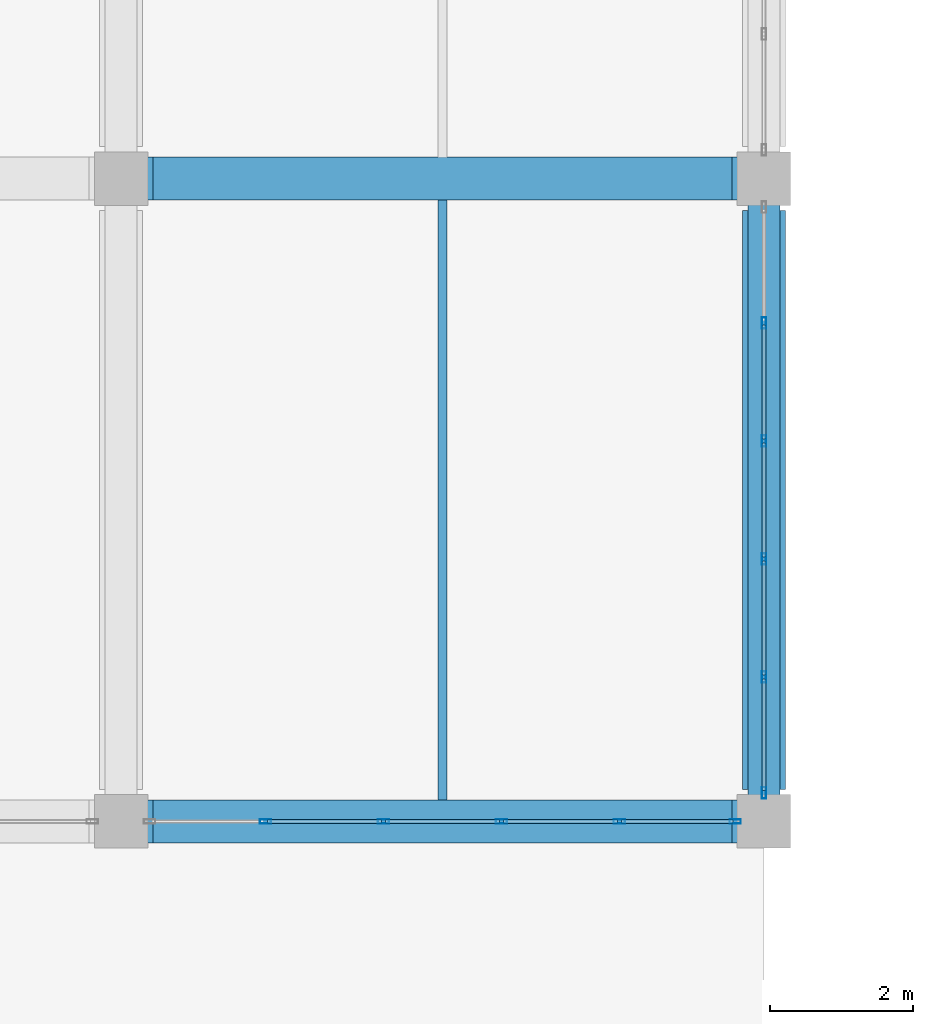
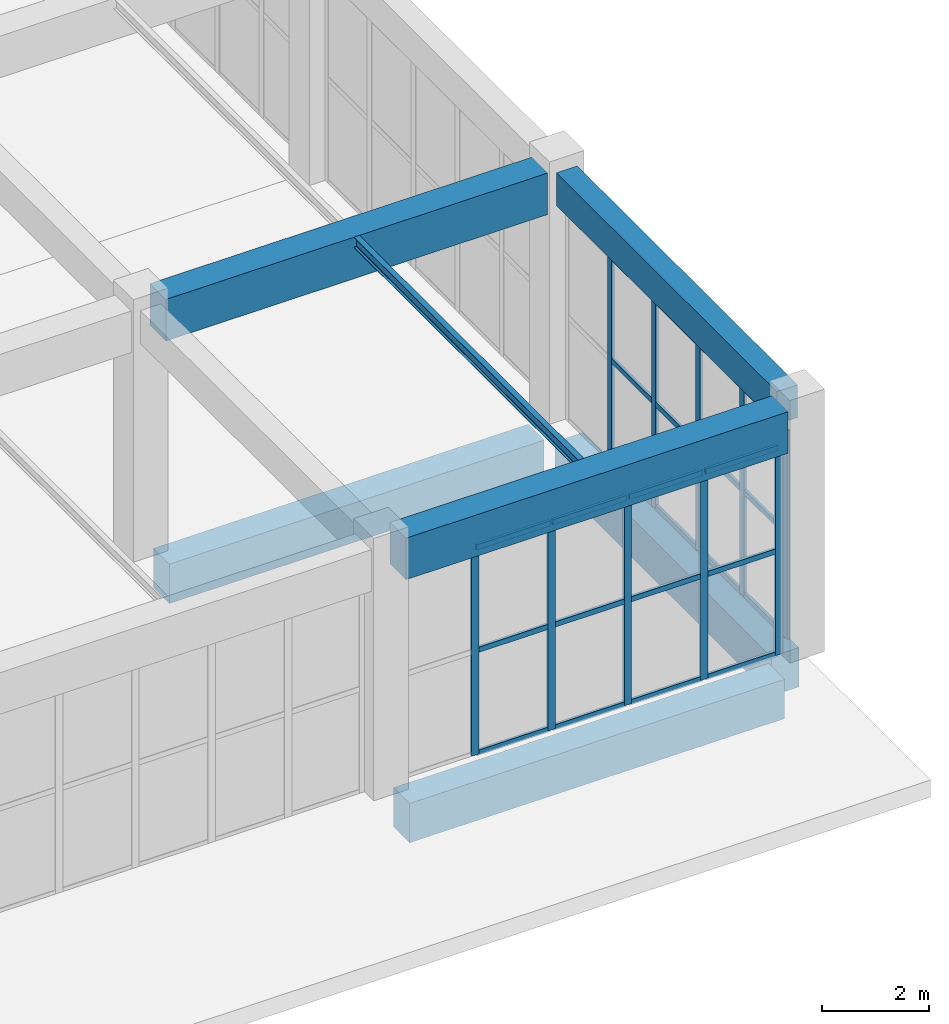
# One storey, part 38 of 91: 34 members, 7 beams, 2 elements without a shape of their own.
"""IFC4 building model written with IfcOpenShell, lengths in metres."""

from ifc_helpers import new_model, si_unit, direction, frame, origin, origin_2d, place, context, subcontext, project, spatial, rectangle, hollow_rectangle, i_section, extrude, material, layer, layer_set, material_profile, profile_set, type_object, element, aggregate, save


model = new_model("IFC4")

# Units and contexts
model_context = context("Model", 3, precision=1e-05, world=origin(), true_north=direction((0.0, 1.0)))
body_context = subcontext(model_context, "Body", "Model", "MODEL_VIEW")
ifc_project = project(units=[si_unit("LENGTHUNIT", "METRE"), si_unit("AREAUNIT", "SQUARE_METRE"), si_unit("VOLUMEUNIT", "CUBIC_METRE"), si_unit("PLANEANGLEUNIT", "RADIAN"), si_unit("MASSUNIT", "GRAM", prefix="KILO")], contexts=[model_context])

# Site, building, storey
site_placement = place(None, origin())
site = spatial("IfcSite", under=ifc_project, at=site_placement, CompositionType="ELEMENT")
building_placement = place(site_placement, origin())
building = spatial("IfcBuilding", under=site, at=building_placement, Name="Dornveld Trade and Exhibition Forum", CompositionType="ELEMENT")
storey_placement = place(building_placement, origin())
storey = spatial("IfcBuildingStorey", under=building, at=storey_placement, Name="L00", CompositionType="ELEMENT", Elevation=0.0)

# Beams
ifc_material_1 = material(Name="Concrete C40/50", Category="concrete")
ifc_material_profile_1 = material_profile(ifc_material_1, rectangle(XDim=0.60009765625, YDim=0.89990234375, at=origin_2d()), Name="RC-GB 600x900")
ifc_profile_set_1 = profile_set([ifc_material_profile_1], Name="Concrete C40/50")
beam_type_1 = type_object("IfcBeamType", Name="BM-GB-600x900", PredefinedType="BEAM", material=ifc_profile_set_1)
for number, where, z_axis, x_axis, name in (
    (1, (207.446044921875, 108.0, -0.842041015625), (1.0, 0.0, 0.0), (0.0, 1.0, 0.0), "L00 X-girder 527"),
    (2, (207.446044921875, 117.0, -0.830078125), (1.0, 0.0, 0.0), (0.0, 1.0, 0.0), "L00 X-girder 531"),
    (3, (216.0, 108.446044921875, -0.830078125), (0.0, 1.0, 0.0), (-1.0, 0.0, 0.0), "L00 Y-girder 563"),
):
    element("IfcBeam", number, at=place(storey_placement, frame(where, z_axis=z_axis, x_axis=x_axis)), inside=storey, type_object=beam_type_1, Name=name, PredefinedType="BEAM", context=body_context, shape_type="SweptSolid", body=[
        extrude(rectangle(XDim=0.60009765625, YDim=0.89990234375, at=origin_2d()), origin(), (0.0, 0.0, 1.0), 8.10791015625),
    ])
ifc_material_2 = material(Name="Steel S355J2", Category="steel")
ifc_material_profile_2 = material_profile(ifc_material_2, i_section(OverallWidth=0.1201171875, OverallDepth=0.239990234375, WebThickness=0.006103515625, FlangeThickness=0.009765625, FilletRadius=0.014892578125, at=origin_2d()), Name="IPE 240")
ifc_profile_set_2 = profile_set([ifc_material_profile_2], Name="Steel S355J2")
beam_type_2 = type_object("IfcBeamType", Name="BM-JOIST-240", PredefinedType="JOIST", material=ifc_profile_set_2)
beam_1_placement = place(storey_placement, frame((211.5, 108.297119140625, 5.580078125), z_axis=(0.0, 1.0, 0.0), x_axis=(-1.0, 0.0, 0.0)))
element("IfcBeam", 4, at=beam_1_placement, inside=storey, type_object=beam_type_2, Name="L00 secondary joist 1017", PredefinedType="JOIST", context=body_context, shape_type="SweptSolid", body=[
    extrude(i_section(OverallWidth=0.1201171875, OverallDepth=0.239990234375, WebThickness=0.006103515625, FlangeThickness=0.009765625, FilletRadius=0.014892578125, at=origin_2d()), origin(), (0.0, 0.0, 1.0), 8.40576171875),
])
ifc_material_3 = material(Name="Precast concrete C50/60", Category="concrete")
ifc_material_profile_3 = material_profile(ifc_material_3, rectangle(XDim=0.449951171875, YDim=0.75, at=origin_2d()), Name="PC-BM 450x750")
ifc_profile_set_3 = profile_set([ifc_material_profile_3], Name="Precast concrete C50/60")
beam_type_3 = type_object("IfcBeamType", Name="BM-PC-450x750", PredefinedType="BEAM", material=ifc_profile_set_3)
beam_2_placement = place(storey_placement, frame((216.0, 108.37109375, 5.324951171875), z_axis=(0.0, 1.0, 0.0), x_axis=(-1.0, 0.0, 0.0)))
element("IfcBeam", 5, at=beam_2_placement, inside=storey, type_object=beam_type_3, Name="L00 Y-girder 999", PredefinedType="BEAM", context=body_context, shape_type="SweptSolid", body=[
    extrude(rectangle(XDim=0.449951171875, YDim=0.75, at=origin_2d()), origin(), (0.0, 0.0, 1.0), 8.2578125),
])
ifc_material_4 = material(Name="Precast concrete C50/60", Category="concrete")
ifc_material_profile_4 = material_profile(ifc_material_4, rectangle(XDim=0.60009765625, YDim=0.949951171875, at=origin_2d()), Name="PC-GIR 600x950")
ifc_profile_set_4 = profile_set([ifc_material_profile_4], Name="Precast concrete C50/60")
beam_type_4 = type_object("IfcBeamType", Name="BM-PC-600x950", PredefinedType="T_BEAM", material=ifc_profile_set_4)
for number, where, z_axis, x_axis, name in (
    (6, (207.37109375, 108.0, 5.22509765625), (1.0, 0.0, 0.0), (0.0, 1.0, 0.0), "L00 X-girder 959"),
    (7, (207.37109375, 117.0, 5.22509765625), (1.0, 0.0, 0.0), (0.0, 1.0, 0.0), "L00 X-girder 963"),
):
    element("IfcBeam", number, at=place(storey_placement, frame(where, z_axis=z_axis, x_axis=x_axis)), inside=storey, type_object=beam_type_4, Name=name, PredefinedType="T_BEAM", context=body_context, shape_type="SweptSolid", body=[
        extrude(rectangle(XDim=0.60009765625, YDim=0.949951171875, at=origin_2d()), origin(), (0.0, 0.0, 1.0), 8.2578125),
    ])

# Curtain wall, members
ifc_material_5 = material(Name="Dark-bronze anodised aluminium and low-E glass", Category="aluminium")
ifc_layer_1 = layer(ifc_material_5, 0.1689453125)
ifc_layer_set_1 = layer_set([ifc_layer_1], Name="Dark-bronze anodised aluminium and low-E glass")
curtain_wall_type_1 = type_object("IfcCurtainWallType", Name="CW-SYS-09", PredefinedType="USERDEFINED", material=ifc_layer_set_1)
curtain_wall_1_placement = place(storey_placement, origin())
curtain_wall_1 = element("IfcCurtainWall", 8, at=curtain_wall_1_placement, inside=storey, type_object=curtain_wall_type_1, Name="L00 unitised curtain wall 99", ObjectType="UNITISED_CURTAIN_WALL", PredefinedType="USERDEFINED")
ifc_material_6 = material(Name="Dark-bronze anodised aluminium", Category="aluminium")
ifc_material_profile_5 = material_profile(ifc_material_6, hollow_rectangle(XDim=0.06005859375, YDim=0.159912109375, WallThickness=0.00390625, at=origin_2d()), Name="RHS 160x60x4")
ifc_profile_set_5 = profile_set([ifc_material_profile_5], Name="Dark-bronze anodised aluminium")
member_type_1 = type_object("IfcMemberType", Name="CW-MUL-160", PredefinedType="MULLION", material=ifc_profile_set_5)
member_1_placement = place(storey_placement, frame((209.022705078125, 108.0, -0.00390625), z_axis=(0.0, 0.0, 1.0), x_axis=(0.0, 1.0, 0.0)))
member_1 = element("IfcMember", 9, at=member_1_placement, type_object=member_type_1, Name="CW-09 mullion 2", PredefinedType="MULLION", context=body_context, shape_type="SweptSolid", body=[
    extrude(hollow_rectangle(XDim=0.06005859375, YDim=0.159912109375, WallThickness=0.00390625, at=origin_2d()), origin(), (0.0, 0.0, 1.0), 4.763916015625),
])
member_2_placement = place(storey_placement, frame((210.67431640625, 108.0, -0.00390625), z_axis=(0.0, 0.0, 1.0), x_axis=(0.0, 1.0, 0.0)))
member_2 = element("IfcMember", 10, at=member_2_placement, type_object=member_type_1, Name="CW-09 mullion 3", PredefinedType="MULLION", context=body_context, shape_type="SweptSolid", body=[
    extrude(hollow_rectangle(XDim=0.06005859375, YDim=0.159912109375, WallThickness=0.00390625, at=origin_2d()), origin(), (0.0, 0.0, 1.0), 4.763916015625),
])
member_3_placement = place(storey_placement, frame((212.32568359375, 108.0, -0.00390625), z_axis=(0.0, 0.0, 1.0), x_axis=(0.0, 1.0, 0.0)))
member_3 = element("IfcMember", 11, at=member_3_placement, type_object=member_type_1, Name="CW-09 mullion 4", PredefinedType="MULLION", context=body_context, shape_type="SweptSolid", body=[
    extrude(hollow_rectangle(XDim=0.06005859375, YDim=0.159912109375, WallThickness=0.00390625, at=origin_2d()), origin(), (0.0, 0.0, 1.0), 4.763916015625),
])
member_4_placement = place(storey_placement, frame((213.977294921875, 108.0, -0.00390625), z_axis=(0.0, 0.0, 1.0), x_axis=(0.0, 1.0, 0.0)))
member_4 = element("IfcMember", 12, at=member_4_placement, type_object=member_type_1, Name="CW-09 mullion 5", PredefinedType="MULLION", context=body_context, shape_type="SweptSolid", body=[
    extrude(hollow_rectangle(XDim=0.06005859375, YDim=0.159912109375, WallThickness=0.00390625, at=origin_2d()), origin(), (0.0, 0.0, 1.0), 4.763916015625),
])
member_5_placement = place(storey_placement, frame((215.59912109375, 108.0, -0.00390625), z_axis=(0.0, 0.0, 1.0), x_axis=(0.0, 1.0, 0.0)))
member_5 = element("IfcMember", 13, at=member_5_placement, type_object=member_type_1, Name="CW-09 mullion 6", PredefinedType="MULLION", context=body_context, shape_type="SweptSolid", body=[
    extrude(hollow_rectangle(XDim=0.06005859375, YDim=0.159912109375, WallThickness=0.00390625, at=origin_2d()), origin(), (0.0, 0.0, 1.0), 4.763916015625),
])

ifc_material_7 = material(Name="Dark-bronze anodised aluminium and low-E glass", Category="aluminium")
ifc_layer_2 = layer(ifc_material_7, 0.172119140625)
ifc_layer_set_2 = layer_set([ifc_layer_2], Name="Dark-bronze anodised aluminium and low-E glass")
curtain_wall_type_2 = type_object("IfcCurtainWallType", Name="CW-SYS-10", PredefinedType="USERDEFINED", material=ifc_layer_set_2)
curtain_wall_2_placement = place(storey_placement, origin())
curtain_wall_2 = element("IfcCurtainWall", 14, at=curtain_wall_2_placement, inside=storey, type_object=curtain_wall_type_2, Name="L00 unitised curtain wall 100", ObjectType="UNITISED_CURTAIN_WALL", PredefinedType="USERDEFINED")
member_6_placement = place(storey_placement, frame((216.0, 108.40087890625, -0.00390625), z_axis=(0.0, 0.0, 1.0), x_axis=(-1.0, 0.0, 0.0)))
member_6 = element("IfcMember", 15, at=member_6_placement, type_object=member_type_1, Name="CW-10 mullion 1", PredefinedType="MULLION", context=body_context, shape_type="SweptSolid", body=[
    extrude(hollow_rectangle(XDim=0.06005859375, YDim=0.159912109375, WallThickness=0.00390625, at=origin_2d()), origin(), (0.0, 0.0, 1.0), 4.763916015625),
])
member_7_placement = place(storey_placement, frame((216.0, 110.022705078125, -0.00390625), z_axis=(0.0, 0.0, 1.0), x_axis=(-1.0, 0.0, 0.0)))
member_7 = element("IfcMember", 16, at=member_7_placement, type_object=member_type_1, Name="CW-10 mullion 2", PredefinedType="MULLION", context=body_context, shape_type="SweptSolid", body=[
    extrude(hollow_rectangle(XDim=0.06005859375, YDim=0.159912109375, WallThickness=0.00390625, at=origin_2d()), origin(), (0.0, 0.0, 1.0), 4.763916015625),
])
member_8_placement = place(storey_placement, frame((216.0, 111.67431640625, -0.00390625), z_axis=(0.0, 0.0, 1.0), x_axis=(-1.0, 0.0, 0.0)))
member_8 = element("IfcMember", 17, at=member_8_placement, type_object=member_type_1, Name="CW-10 mullion 3", PredefinedType="MULLION", context=body_context, shape_type="SweptSolid", body=[
    extrude(hollow_rectangle(XDim=0.06005859375, YDim=0.159912109375, WallThickness=0.00390625, at=origin_2d()), origin(), (0.0, 0.0, 1.0), 4.763916015625),
])
member_9_placement = place(storey_placement, frame((216.0, 113.32568359375, -0.00390625), z_axis=(0.0, 0.0, 1.0), x_axis=(-1.0, 0.0, 0.0)))
member_9 = element("IfcMember", 18, at=member_9_placement, type_object=member_type_1, Name="CW-10 mullion 4", PredefinedType="MULLION", context=body_context, shape_type="SweptSolid", body=[
    extrude(hollow_rectangle(XDim=0.06005859375, YDim=0.159912109375, WallThickness=0.00390625, at=origin_2d()), origin(), (0.0, 0.0, 1.0), 4.763916015625),
])
member_10_placement = place(storey_placement, frame((216.0, 114.977294921875, -0.00390625), z_axis=(0.0, 0.0, 1.0), x_axis=(-1.0, 0.0, 0.0)))
member_10 = element("IfcMember", 19, at=member_10_placement, type_object=member_type_1, Name="CW-10 mullion 5", PredefinedType="MULLION", context=body_context, shape_type="SweptSolid", body=[
    extrude(hollow_rectangle(XDim=0.06005859375, YDim=0.159912109375, WallThickness=0.00390625, at=origin_2d()), origin(), (0.0, 0.0, 1.0), 4.763916015625),
])

# Member
ifc_material_8 = material(Name="Dark-bronze anodised aluminium", Category="aluminium")
ifc_material_profile_6 = material_profile(ifc_material_8, hollow_rectangle(XDim=0.06005859375, YDim=0.1201171875, WallThickness=0.00390625, at=origin_2d()), Name="RHS 120x60x4")
ifc_profile_set_6 = profile_set([ifc_material_profile_6], Name="Dark-bronze anodised aluminium")
member_type_2 = type_object("IfcMemberType", Name="CW-TRN-120", PredefinedType="USERDEFINED", material=ifc_profile_set_6)
member_11_placement = place(storey_placement, frame((209.052490234375, 108.0, 0.02587890625), z_axis=(1.0, 0.0, 0.0), x_axis=(0.0, 1.0, 0.0)))
member_11 = element("IfcMember", 20, at=member_11_placement, type_object=member_type_2, Name="CW-09 transom 2.1", ObjectType="TRANSOM", PredefinedType="USERDEFINED", context=body_context, shape_type="SweptSolid", body=[
    extrude(hollow_rectangle(XDim=0.06005859375, YDim=0.1201171875, WallThickness=0.00390625, at=origin_2d()), origin(), (0.0, 0.0, 1.0), 1.591796875),
])

member_12_placement = place(storey_placement, frame((209.052490234375, 108.0, 2.3779296875), z_axis=(1.0, 0.0, 0.0), x_axis=(0.0, 1.0, 0.0)))
member_12 = element("IfcMember", 21, at=member_12_placement, type_object=member_type_2, Name="CW-09 transom 2.2", ObjectType="TRANSOM", PredefinedType="USERDEFINED", context=body_context, shape_type="SweptSolid", body=[
    extrude(hollow_rectangle(XDim=0.06005859375, YDim=0.1201171875, WallThickness=0.00390625, at=origin_2d()), origin(), (0.0, 0.0, 1.0), 1.591796875),
])

member_13_placement = place(storey_placement, frame((209.052490234375, 108.0, 4.72998046875), z_axis=(1.0, 0.0, 0.0), x_axis=(0.0, 1.0, 0.0)))
member_13 = element("IfcMember", 22, at=member_13_placement, type_object=member_type_2, Name="CW-09 transom 2.3", ObjectType="TRANSOM", PredefinedType="USERDEFINED", context=body_context, shape_type="SweptSolid", body=[
    extrude(hollow_rectangle(XDim=0.06005859375, YDim=0.1201171875, WallThickness=0.00390625, at=origin_2d()), origin(), (0.0, 0.0, 1.0), 1.591796875),
])

member_14_placement = place(storey_placement, frame((210.7041015625, 108.0, 0.02587890625), z_axis=(1.0, 0.0, 0.0), x_axis=(0.0, 1.0, 0.0)))
member_14 = element("IfcMember", 23, at=member_14_placement, type_object=member_type_2, Name="CW-09 transom 3.1", ObjectType="TRANSOM", PredefinedType="USERDEFINED", context=body_context, shape_type="SweptSolid", body=[
    extrude(hollow_rectangle(XDim=0.06005859375, YDim=0.1201171875, WallThickness=0.00390625, at=origin_2d()), origin(), (0.0, 0.0, 1.0), 1.591796875),
])

member_15_placement = place(storey_placement, frame((210.7041015625, 108.0, 2.3779296875), z_axis=(1.0, 0.0, 0.0), x_axis=(0.0, 1.0, 0.0)))
member_15 = element("IfcMember", 24, at=member_15_placement, type_object=member_type_2, Name="CW-09 transom 3.2", ObjectType="TRANSOM", PredefinedType="USERDEFINED", context=body_context, shape_type="SweptSolid", body=[
    extrude(hollow_rectangle(XDim=0.06005859375, YDim=0.1201171875, WallThickness=0.00390625, at=origin_2d()), origin(), (0.0, 0.0, 1.0), 1.591796875),
])

member_16_placement = place(storey_placement, frame((210.7041015625, 108.0, 4.72998046875), z_axis=(1.0, 0.0, 0.0), x_axis=(0.0, 1.0, 0.0)))
member_16 = element("IfcMember", 25, at=member_16_placement, type_object=member_type_2, Name="CW-09 transom 3.3", ObjectType="TRANSOM", PredefinedType="USERDEFINED", context=body_context, shape_type="SweptSolid", body=[
    extrude(hollow_rectangle(XDim=0.06005859375, YDim=0.1201171875, WallThickness=0.00390625, at=origin_2d()), origin(), (0.0, 0.0, 1.0), 1.591796875),
])

member_17_placement = place(storey_placement, frame((212.355712890625, 108.0, 0.02587890625), z_axis=(1.0, 0.0, 0.0), x_axis=(0.0, 1.0, 0.0)))
member_17 = element("IfcMember", 26, at=member_17_placement, type_object=member_type_2, Name="CW-09 transom 4.1", ObjectType="TRANSOM", PredefinedType="USERDEFINED", context=body_context, shape_type="SweptSolid", body=[
    extrude(hollow_rectangle(XDim=0.06005859375, YDim=0.1201171875, WallThickness=0.00390625, at=origin_2d()), origin(), (0.0, 0.0, 1.0), 1.591796875),
])

member_18_placement = place(storey_placement, frame((212.355712890625, 108.0, 2.3779296875), z_axis=(1.0, 0.0, 0.0), x_axis=(0.0, 1.0, 0.0)))
member_18 = element("IfcMember", 27, at=member_18_placement, type_object=member_type_2, Name="CW-09 transom 4.2", ObjectType="TRANSOM", PredefinedType="USERDEFINED", context=body_context, shape_type="SweptSolid", body=[
    extrude(hollow_rectangle(XDim=0.06005859375, YDim=0.1201171875, WallThickness=0.00390625, at=origin_2d()), origin(), (0.0, 0.0, 1.0), 1.591796875),
])

member_19_placement = place(storey_placement, frame((212.355712890625, 108.0, 4.72998046875), z_axis=(1.0, 0.0, 0.0), x_axis=(0.0, 1.0, 0.0)))
member_19 = element("IfcMember", 28, at=member_19_placement, type_object=member_type_2, Name="CW-09 transom 4.3", ObjectType="TRANSOM", PredefinedType="USERDEFINED", context=body_context, shape_type="SweptSolid", body=[
    extrude(hollow_rectangle(XDim=0.06005859375, YDim=0.1201171875, WallThickness=0.00390625, at=origin_2d()), origin(), (0.0, 0.0, 1.0), 1.591796875),
])

member_20_placement = place(storey_placement, frame((214.00732421875, 108.0, 0.02587890625), z_axis=(1.0, 0.0, 0.0), x_axis=(0.0, 1.0, 0.0)))
member_20 = element("IfcMember", 29, at=member_20_placement, type_object=member_type_2, Name="CW-09 transom 5.1", ObjectType="TRANSOM", PredefinedType="USERDEFINED", context=body_context, shape_type="SweptSolid", body=[
    extrude(hollow_rectangle(XDim=0.06005859375, YDim=0.1201171875, WallThickness=0.00390625, at=origin_2d()), origin(), (0.0, 0.0, 1.0), 1.561767578125),
])

member_21_placement = place(storey_placement, frame((214.00732421875, 108.0, 2.3779296875), z_axis=(1.0, 0.0, 0.0), x_axis=(0.0, 1.0, 0.0)))
member_21 = element("IfcMember", 30, at=member_21_placement, type_object=member_type_2, Name="CW-09 transom 5.2", ObjectType="TRANSOM", PredefinedType="USERDEFINED", context=body_context, shape_type="SweptSolid", body=[
    extrude(hollow_rectangle(XDim=0.06005859375, YDim=0.1201171875, WallThickness=0.00390625, at=origin_2d()), origin(), (0.0, 0.0, 1.0), 1.561767578125),
])

member_22_placement = place(storey_placement, frame((214.00732421875, 108.0, 4.72998046875), z_axis=(1.0, 0.0, 0.0), x_axis=(0.0, 1.0, 0.0)))
member_22 = element("IfcMember", 31, at=member_22_placement, type_object=member_type_2, Name="CW-09 transom 5.3", ObjectType="TRANSOM", PredefinedType="USERDEFINED", context=body_context, shape_type="SweptSolid", body=[
    extrude(hollow_rectangle(XDim=0.06005859375, YDim=0.1201171875, WallThickness=0.00390625, at=origin_2d()), origin(), (0.0, 0.0, 1.0), 1.561767578125),
])

aggregate(curtain_wall_1, [member_1, member_2, member_3, member_4, member_5, member_11, member_12, member_13, member_14, member_15, member_16, member_17, member_18, member_19, member_20, member_21, member_22])

member_23_placement = place(storey_placement, frame((216.0, 108.430908203125, 0.02587890625), z_axis=(0.0, 1.0, 0.0), x_axis=(-1.0, 0.0, 0.0)))
member_23 = element("IfcMember", 32, at=member_23_placement, type_object=member_type_2, Name="CW-10 transom 1.1", ObjectType="TRANSOM", PredefinedType="USERDEFINED", context=body_context, shape_type="SweptSolid", body=[
    extrude(hollow_rectangle(XDim=0.06005859375, YDim=0.1201171875, WallThickness=0.00390625, at=origin_2d()), origin(), (0.0, 0.0, 1.0), 1.561767578125),
])

member_24_placement = place(storey_placement, frame((216.0, 108.430908203125, 2.3779296875), z_axis=(0.0, 1.0, 0.0), x_axis=(-1.0, 0.0, 0.0)))
member_24 = element("IfcMember", 33, at=member_24_placement, type_object=member_type_2, Name="CW-10 transom 1.2", ObjectType="TRANSOM", PredefinedType="USERDEFINED", context=body_context, shape_type="SweptSolid", body=[
    extrude(hollow_rectangle(XDim=0.06005859375, YDim=0.1201171875, WallThickness=0.00390625, at=origin_2d()), origin(), (0.0, 0.0, 1.0), 1.561767578125),
])

member_25_placement = place(storey_placement, frame((216.0, 108.430908203125, 4.72998046875), z_axis=(0.0, 1.0, 0.0), x_axis=(-1.0, 0.0, 0.0)))
member_25 = element("IfcMember", 34, at=member_25_placement, type_object=member_type_2, Name="CW-10 transom 1.3", ObjectType="TRANSOM", PredefinedType="USERDEFINED", context=body_context, shape_type="SweptSolid", body=[
    extrude(hollow_rectangle(XDim=0.06005859375, YDim=0.1201171875, WallThickness=0.00390625, at=origin_2d()), origin(), (0.0, 0.0, 1.0), 1.561767578125),
])

member_26_placement = place(storey_placement, frame((216.0, 110.052490234375, 0.02587890625), z_axis=(0.0, 1.0, 0.0), x_axis=(-1.0, 0.0, 0.0)))
member_26 = element("IfcMember", 35, at=member_26_placement, type_object=member_type_2, Name="CW-10 transom 2.1", ObjectType="TRANSOM", PredefinedType="USERDEFINED", context=body_context, shape_type="SweptSolid", body=[
    extrude(hollow_rectangle(XDim=0.06005859375, YDim=0.1201171875, WallThickness=0.00390625, at=origin_2d()), origin(), (0.0, 0.0, 1.0), 1.591796875),
])

member_27_placement = place(storey_placement, frame((216.0, 110.052490234375, 2.3779296875), z_axis=(0.0, 1.0, 0.0), x_axis=(-1.0, 0.0, 0.0)))
member_27 = element("IfcMember", 36, at=member_27_placement, type_object=member_type_2, Name="CW-10 transom 2.2", ObjectType="TRANSOM", PredefinedType="USERDEFINED", context=body_context, shape_type="SweptSolid", body=[
    extrude(hollow_rectangle(XDim=0.06005859375, YDim=0.1201171875, WallThickness=0.00390625, at=origin_2d()), origin(), (0.0, 0.0, 1.0), 1.591796875),
])

member_28_placement = place(storey_placement, frame((216.0, 110.052490234375, 4.72998046875), z_axis=(0.0, 1.0, 0.0), x_axis=(-1.0, 0.0, 0.0)))
member_28 = element("IfcMember", 37, at=member_28_placement, type_object=member_type_2, Name="CW-10 transom 2.3", ObjectType="TRANSOM", PredefinedType="USERDEFINED", context=body_context, shape_type="SweptSolid", body=[
    extrude(hollow_rectangle(XDim=0.06005859375, YDim=0.1201171875, WallThickness=0.00390625, at=origin_2d()), origin(), (0.0, 0.0, 1.0), 1.591796875),
])

member_29_placement = place(storey_placement, frame((216.0, 111.7041015625, 0.02587890625), z_axis=(0.0, 1.0, 0.0), x_axis=(-1.0, 0.0, 0.0)))
member_29 = element("IfcMember", 38, at=member_29_placement, type_object=member_type_2, Name="CW-10 transom 3.1", ObjectType="TRANSOM", PredefinedType="USERDEFINED", context=body_context, shape_type="SweptSolid", body=[
    extrude(hollow_rectangle(XDim=0.06005859375, YDim=0.1201171875, WallThickness=0.00390625, at=origin_2d()), origin(), (0.0, 0.0, 1.0), 1.591796875),
])

member_30_placement = place(storey_placement, frame((216.0, 111.7041015625, 2.3779296875), z_axis=(0.0, 1.0, 0.0), x_axis=(-1.0, 0.0, 0.0)))
member_30 = element("IfcMember", 39, at=member_30_placement, type_object=member_type_2, Name="CW-10 transom 3.2", ObjectType="TRANSOM", PredefinedType="USERDEFINED", context=body_context, shape_type="SweptSolid", body=[
    extrude(hollow_rectangle(XDim=0.06005859375, YDim=0.1201171875, WallThickness=0.00390625, at=origin_2d()), origin(), (0.0, 0.0, 1.0), 1.591796875),
])

member_31_placement = place(storey_placement, frame((216.0, 111.7041015625, 4.72998046875), z_axis=(0.0, 1.0, 0.0), x_axis=(-1.0, 0.0, 0.0)))
member_31 = element("IfcMember", 40, at=member_31_placement, type_object=member_type_2, Name="CW-10 transom 3.3", ObjectType="TRANSOM", PredefinedType="USERDEFINED", context=body_context, shape_type="SweptSolid", body=[
    extrude(hollow_rectangle(XDim=0.06005859375, YDim=0.1201171875, WallThickness=0.00390625, at=origin_2d()), origin(), (0.0, 0.0, 1.0), 1.591796875),
])

member_32_placement = place(storey_placement, frame((216.0, 113.355712890625, 0.02587890625), z_axis=(0.0, 1.0, 0.0), x_axis=(-1.0, 0.0, 0.0)))
member_32 = element("IfcMember", 41, at=member_32_placement, type_object=member_type_2, Name="CW-10 transom 4.1", ObjectType="TRANSOM", PredefinedType="USERDEFINED", context=body_context, shape_type="SweptSolid", body=[
    extrude(hollow_rectangle(XDim=0.06005859375, YDim=0.1201171875, WallThickness=0.00390625, at=origin_2d()), origin(), (0.0, 0.0, 1.0), 1.591796875),
])

member_33_placement = place(storey_placement, frame((216.0, 113.355712890625, 2.3779296875), z_axis=(0.0, 1.0, 0.0), x_axis=(-1.0, 0.0, 0.0)))
member_33 = element("IfcMember", 42, at=member_33_placement, type_object=member_type_2, Name="CW-10 transom 4.2", ObjectType="TRANSOM", PredefinedType="USERDEFINED", context=body_context, shape_type="SweptSolid", body=[
    extrude(hollow_rectangle(XDim=0.06005859375, YDim=0.1201171875, WallThickness=0.00390625, at=origin_2d()), origin(), (0.0, 0.0, 1.0), 1.591796875),
])

member_34_placement = place(storey_placement, frame((216.0, 113.355712890625, 4.72998046875), z_axis=(0.0, 1.0, 0.0), x_axis=(-1.0, 0.0, 0.0)))
member_34 = element("IfcMember", 43, at=member_34_placement, type_object=member_type_2, Name="CW-10 transom 4.3", ObjectType="TRANSOM", PredefinedType="USERDEFINED", context=body_context, shape_type="SweptSolid", body=[
    extrude(hollow_rectangle(XDim=0.06005859375, YDim=0.1201171875, WallThickness=0.00390625, at=origin_2d()), origin(), (0.0, 0.0, 1.0), 1.591796875),
])

aggregate(curtain_wall_2, [member_6, member_7, member_8, member_9, member_10, member_23, member_24, member_25, member_26, member_27, member_28, member_29, member_30, member_31, member_32, member_33, member_34])

save(model, "model.ifc")
